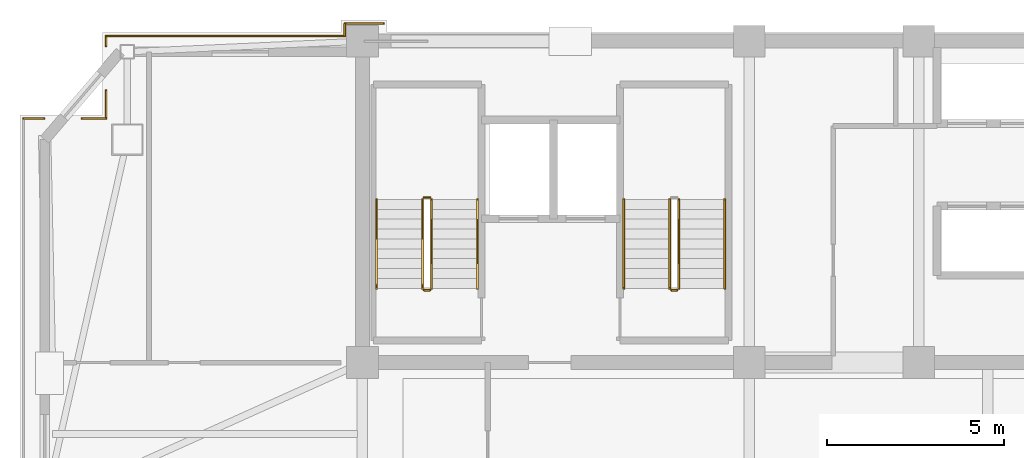
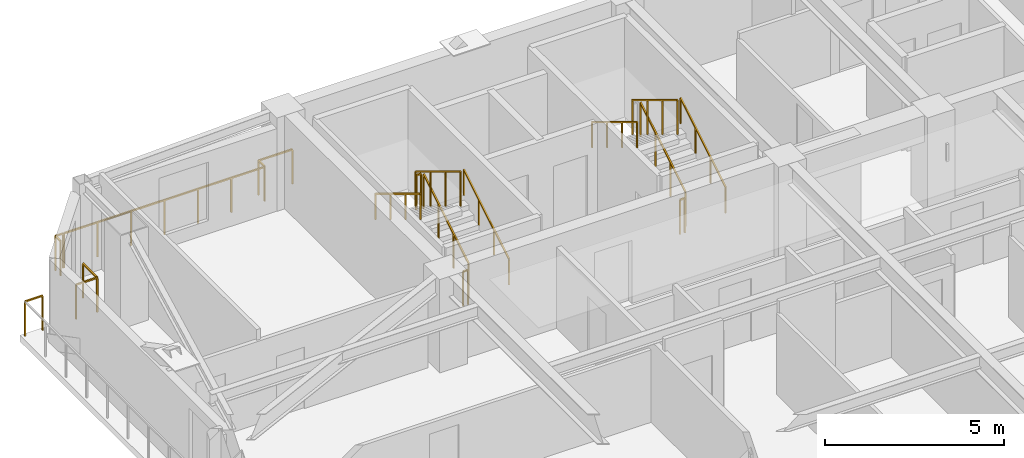
# One storey, part 12 of 14: 19 railings.
"""IFC4 building model written with IfcOpenShell, lengths in metres."""

from ifc_helpers import new_model, si_unit, direction, frame, origin, origin_2d, place, context, subcontext, project, spatial, rectangle, extrude, material, type_object, element, save


model = new_model("IFC4")

# Units and contexts
model_context = context("Model", 3, precision=1e-05, world=origin(), true_north=direction((0.0, 1.0)))
body_context = subcontext(model_context, "Body", "Model", "MODEL_VIEW")
ifc_project = project(units=[si_unit("LENGTHUNIT", "METRE"), si_unit("AREAUNIT", "SQUARE_METRE"), si_unit("VOLUMEUNIT", "CUBIC_METRE"), si_unit("PLANEANGLEUNIT", "RADIAN"), si_unit("MASSUNIT", "GRAM", prefix="KILO")], contexts=[model_context])

# Site, building, storey
site_placement = place(None, origin())
site = spatial("IfcSite", under=ifc_project, at=site_placement, CompositionType="ELEMENT")
building_placement = place(site_placement, origin())
building = spatial("IfcBuilding", under=site, at=building_placement, Name="Giltprow Tower", CompositionType="ELEMENT")
storey_placement = place(building_placement, frame((0.0, 0.0, 314.199951171875)))
storey = spatial("IfcBuildingStorey", under=building, at=storey_placement, Name="L81", CompositionType="ELEMENT", Elevation=314.199951171875)

# Railings
ifc_material = material(Name="Anodized bronze", Category="metal")
railing_type_1 = type_object("IfcRailingType", Name="RAIL-BALC-GUARD-1200", PredefinedType="BALUSTRADE", material=ifc_material)
railing_1_placement = place(storey_placement, frame((10.2548828125, 44.362060546875, 0.0)))
element("IfcRailing", 1, at=railing_1_placement, inside=storey, type_object=railing_type_1, Name="L81 Corner Apron Edge Balustrade 14", PredefinedType="BALUSTRADE", context=body_context, shape_type="SweptSolid", body=[
    extrude(rectangle(XDim=0.048095703125, YDim=0.048095703125, at=origin_2d()), frame((0.0, 0.0, 1.17578125), z_axis=(1.0, 0.0, 0.0), x_axis=(0.0, 1.0, 0.0)), (0.0, 0.0, 1.0), 0.5751953125),
    extrude(rectangle(XDim=0.0419921875, YDim=0.0419921875, at=origin_2d()), origin(), (0.0, 0.0, 1.0), 1.15185546875),
    extrude(rectangle(XDim=0.0419921875, YDim=0.0419921875, at=origin_2d()), frame((0.5751953125, 0.0, 0.0)), (0.0, 0.0, 1.0), 1.15185546875),
])
railing_2_placement = place(storey_placement, frame((11.910888671875, 44.362060546875, 0.0)))
element("IfcRailing", 2, at=railing_2_placement, inside=storey, type_object=railing_type_1, Name="L81 Corner Apron Edge Balustrade 15", PredefinedType="BALUSTRADE", context=body_context, shape_type="SweptSolid", body=[
    extrude(rectangle(XDim=0.048095703125, YDim=0.048095703125, at=origin_2d()), frame((0.0, 0.0, 1.17578125), z_axis=(1.0, 0.0, 0.0), x_axis=(0.0, 1.0, 0.0)), (0.0, 0.0, 1.0), 0.68212890625),
    extrude(rectangle(XDim=0.0419921875, YDim=0.0419921875, at=origin_2d()), origin(), (0.0, 0.0, 1.0), 1.15185546875),
    extrude(rectangle(XDim=0.0419921875, YDim=0.0419921875, at=origin_2d()), frame((0.68212890625, 0.0, 0.0)), (0.0, 0.0, 1.0), 1.15185546875),
])
railing_3_placement = place(storey_placement, frame((12.593017578125, 44.362060546875, 0.0)))
element("IfcRailing", 3, at=railing_3_placement, inside=storey, type_object=railing_type_1, Name="L81 Corner Apron Edge Balustrade 16", PredefinedType="BALUSTRADE", context=body_context, shape_type="SweptSolid", body=[
    extrude(rectangle(XDim=0.048095703125, YDim=0.048095703125, at=origin_2d()), frame((0.0, 0.0, 1.17578125), z_axis=(0.0, 1.0, 0.0), x_axis=(-1.0, 0.0, 0.0)), (0.0, 0.0, 1.0), 0.79296875),
    extrude(rectangle(XDim=0.0419921875, YDim=0.0419921875, at=origin_2d()), origin(), (0.0, 0.0, 1.0), 1.15185546875),
    extrude(rectangle(XDim=0.0419921875, YDim=0.0419921875, at=origin_2d()), frame((0.0, 0.79296875, 0.0)), (0.0, 0.0, 1.0), 1.15185546875),
])
railing_4_placement = place(storey_placement, frame((12.593017578125, 46.4140625, 0.0)))
element("IfcRailing", 4, at=railing_4_placement, inside=storey, type_object=railing_type_1, Name="L81 Corner Apron Edge Balustrade 17", PredefinedType="BALUSTRADE", context=body_context, shape_type="SweptSolid", body=[
    extrude(rectangle(XDim=0.048095703125, YDim=0.048095703125, at=origin_2d()), frame((0.0, 0.0, 1.17578125), z_axis=(0.0, 1.0, 0.0), x_axis=(-1.0, 0.0, 0.0)), (0.0, 0.0, 1.0), 0.285888671875),
    extrude(rectangle(XDim=0.0419921875, YDim=0.0419921875, at=origin_2d()), origin(), (0.0, 0.0, 1.0), 1.15185546875),
    extrude(rectangle(XDim=0.0419921875, YDim=0.0419921875, at=origin_2d()), frame((0.0, 0.285888671875, 0.0)), (0.0, 0.0, 1.0), 1.15185546875),
])
railing_5_placement = place(storey_placement, frame((12.593017578125, 46.699951171875, 0.0)))
element("IfcRailing", 5, at=railing_5_placement, inside=storey, type_object=railing_type_1, Name="L81 Corner Apron Edge Balustrade 18", PredefinedType="BALUSTRADE", context=body_context, shape_type="SweptSolid", body=[
    extrude(rectangle(XDim=0.048095703125, YDim=0.048095703125, at=origin_2d()), frame((0.0, 0.0, 1.17578125), z_axis=(1.0, 0.0, 0.0), x_axis=(0.0, 1.0, 0.0)), (0.0, 0.0, 1.0), 0.24609375),
    extrude(rectangle(XDim=0.0419921875, YDim=0.0419921875, at=origin_2d()), origin(), (0.0, 0.0, 1.0), 1.15185546875),
    extrude(rectangle(XDim=0.0419921875, YDim=0.0419921875, at=origin_2d()), frame((0.24609375, 0.0, 0.0)), (0.0, 0.0, 1.0), 1.15185546875),
])
railing_6_placement = place(storey_placement, frame((12.867919921875, 46.699951171875, 0.0)))
element("IfcRailing", 6, at=railing_6_placement, inside=storey, type_object=railing_type_1, Name="L81 Corner Apron Edge Balustrade 19", PredefinedType="BALUSTRADE", context=body_context, shape_type="SweptSolid", body=[
    extrude(rectangle(XDim=0.048095703125, YDim=0.048095703125, at=origin_2d()), frame((0.0, 0.0, 1.17578125), z_axis=(1.0, 0.0, 0.0), x_axis=(0.0, 1.0, 0.0)), (0.0, 0.0, 1.0), 6.482177734375),
    extrude(rectangle(XDim=0.0419921875, YDim=0.0419921875, at=origin_2d()), origin(), (0.0, 0.0, 1.0), 1.15185546875),
    extrude(rectangle(XDim=0.0419921875, YDim=0.0419921875, at=origin_2d()), frame((1.080322265625, 0.0, 0.0)), (0.0, 0.0, 1.0), 1.15185546875),
    extrude(rectangle(XDim=0.0419921875, YDim=0.0419921875, at=origin_2d()), frame((2.16064453125, 0.0, 0.0)), (0.0, 0.0, 1.0), 1.15185546875),
    extrude(rectangle(XDim=0.0419921875, YDim=0.0419921875, at=origin_2d()), frame((3.2412109375, 0.0, 0.0)), (0.0, 0.0, 1.0), 1.15185546875),
    extrude(rectangle(XDim=0.0419921875, YDim=0.0419921875, at=origin_2d()), frame((4.321533203125, 0.0, 0.0)), (0.0, 0.0, 1.0), 1.15185546875),
    extrude(rectangle(XDim=0.0419921875, YDim=0.0419921875, at=origin_2d()), frame((5.40185546875, 0.0, 0.0)), (0.0, 0.0, 1.0), 1.15185546875),
    extrude(rectangle(XDim=0.0419921875, YDim=0.0419921875, at=origin_2d()), frame((6.482177734375, 0.0, 0.0)), (0.0, 0.0, 1.0), 1.15185546875),
])
railing_7_placement = place(storey_placement, frame((19.35009765625, 46.699951171875, 0.0)))
element("IfcRailing", 7, at=railing_7_placement, inside=storey, type_object=railing_type_1, Name="L81 Corner Apron Edge Balustrade 20", PredefinedType="BALUSTRADE", context=body_context, shape_type="SweptSolid", body=[
    extrude(rectangle(XDim=0.048095703125, YDim=0.048095703125, at=origin_2d()), frame((0.0, 0.0, 1.17578125), z_axis=(0.0, 1.0, 0.0), x_axis=(-1.0, 0.0, 0.0)), (0.0, 0.0, 1.0), 0.35009765625),
    extrude(rectangle(XDim=0.0419921875, YDim=0.0419921875, at=origin_2d()), origin(), (0.0, 0.0, 1.0), 1.15185546875),
    extrude(rectangle(XDim=0.0419921875, YDim=0.0419921875, at=origin_2d()), frame((0.0, 0.35009765625, 0.0)), (0.0, 0.0, 1.0), 1.15185546875),
])
railing_8_placement = place(storey_placement, frame((19.35009765625, 47.050048828125, 0.0)))
element("IfcRailing", 8, at=railing_8_placement, inside=storey, type_object=railing_type_1, Name="L81 Corner Apron Edge Balustrade 21", PredefinedType="BALUSTRADE", context=body_context, shape_type="SweptSolid", body=[
    extrude(rectangle(XDim=0.048095703125, YDim=0.048095703125, at=origin_2d()), frame((0.0, 0.0, 1.17578125), z_axis=(1.0, 0.0, 0.0), x_axis=(0.0, 1.0, 0.0)), (0.0, 0.0, 1.0), 1.099853515625),
    extrude(rectangle(XDim=0.0419921875, YDim=0.0419921875, at=origin_2d()), origin(), (0.0, 0.0, 1.0), 1.15185546875),
    extrude(rectangle(XDim=0.0419921875, YDim=0.0419921875, at=origin_2d()), frame((1.099853515625, 0.0, 0.0)), (0.0, 0.0, 1.0), 1.15185546875),
])
railing_type_2 = type_object("IfcRailingType", Name="RAIL-STAIR-GUARD-1200", PredefinedType="GUARDRAIL", material=ifc_material)
railing_9_placement = place(storey_placement, frame((21.81005859375, 39.550048828125, 0.170166015625)))
element("IfcRailing", 9, at=railing_9_placement, inside=storey, type_object=railing_type_2, Name="L81 ST-1 stair guard 1", PredefinedType="GUARDRAIL", context=body_context, shape_type="SweptSolid", body=[
    extrude(rectangle(XDim=0.048095703125, YDim=0.048095703125, at=origin_2d()), frame((0.0, 0.0, 1.17578125), z_axis=(0.0, 0.854821627497, 0.518921945155), x_axis=(-1.0, 0.0, 0.0)), (0.0, 0.0, 1.0), 2.947998046875),
    extrude(rectangle(XDim=0.0419921875, YDim=0.0419921875, at=origin_2d()), origin(), (0.0, 0.0, 1.0), 1.15185546875),
    extrude(rectangle(XDim=0.0419921875, YDim=0.0419921875, at=origin_2d()), frame((0.0, 0.840087890625, 0.510009765625)), (0.0, 0.0, 1.0), 1.15185546875),
    extrude(rectangle(XDim=0.0419921875, YDim=0.0419921875, at=origin_2d()), frame((0.0, 1.679931640625, 1.019775390625)), (0.0, 0.0, 1.0), 1.15185546875),
    extrude(rectangle(XDim=0.0419921875, YDim=0.0419921875, at=origin_2d()), frame((0.0, 2.52001953125, 1.52978515625)), (0.0, 0.0, 1.0), 1.15185546875),
])
railing_10_placement = place(storey_placement, frame((21.760009765625, 42.1201171875, 1.699951171875)))
element("IfcRailing", 10, at=railing_10_placement, inside=storey, type_object=railing_type_2, Name="L81 ST-1 stair guard 2", PredefinedType="GUARDRAIL", context=body_context, shape_type="SweptSolid", body=[
    extrude(rectangle(XDim=0.048095703125, YDim=0.048095703125, at=origin_2d()), frame((0.0, 0.0, 1.17578125), z_axis=(-1.0, 0.0, 0.0), x_axis=(0.0, -1.0, 0.0)), (0.0, 0.0, 1.0), 0.159912109375),
    extrude(rectangle(XDim=0.0419921875, YDim=0.0419921875, at=origin_2d()), origin(), (0.0, 0.0, 1.0), 1.15185546875),
    extrude(rectangle(XDim=0.0419921875, YDim=0.0419921875, at=origin_2d()), frame((-0.159912109375, 0.0, 0.0)), (0.0, 0.0, 1.0), 1.15185546875),
])
railing_11_placement = place(storey_placement, frame((21.550048828125, 42.070068359375, 1.8701171875)))
element("IfcRailing", 11, at=railing_11_placement, inside=storey, type_object=railing_type_2, Name="L81 ST-1 stair guard 3", PredefinedType="GUARDRAIL", context=body_context, shape_type="SweptSolid", body=[
    extrude(rectangle(XDim=0.048095703125, YDim=0.048095703125, at=origin_2d()), frame((0.0, 0.0, 1.17578125), z_axis=(0.0, -0.85478489116, 0.518982456201), x_axis=(1.0, 0.0, 0.0)), (0.0, 0.0, 1.0), 2.9482421875),
    extrude(rectangle(XDim=0.0419921875, YDim=0.0419921875, at=origin_2d()), origin(), (0.0, 0.0, 1.0), 1.15185546875),
    extrude(rectangle(XDim=0.0419921875, YDim=0.0419921875, at=origin_2d()), frame((0.0, -0.840087890625, 0.510009765625)), (0.0, 0.0, 1.0), 1.15185546875),
    extrude(rectangle(XDim=0.0419921875, YDim=0.0419921875, at=origin_2d()), frame((0.0, -1.679931640625, 1.02001953125)), (0.0, 0.0, 1.0), 1.15185546875),
    extrude(rectangle(XDim=0.0419921875, YDim=0.0419921875, at=origin_2d()), frame((0.0, -2.52001953125, 1.530029296875)), (0.0, 0.0, 1.0), 1.15185546875),
])
railing_12_placement = place(storey_placement, frame((21.760009765625, 39.5, 0.0)))
element("IfcRailing", 12, at=railing_12_placement, inside=storey, type_object=railing_type_2, Name="L81 ST-1 stair guard 4", PredefinedType="GUARDRAIL", context=body_context, shape_type="SweptSolid", body=[
    extrude(rectangle(XDim=0.048095703125, YDim=0.048095703125, at=origin_2d()), frame((0.0, 0.0, 1.17578125), z_axis=(-1.0, 0.0, 0.0), x_axis=(0.0, -1.0, 0.0)), (0.0, 0.0, 1.0), 0.159912109375),
    extrude(rectangle(XDim=0.0419921875, YDim=0.0419921875, at=origin_2d()), origin(), (0.0, 0.0, 1.0), 1.15185546875),
    extrude(rectangle(XDim=0.0419921875, YDim=0.0419921875, at=origin_2d()), frame((-0.159912109375, 0.0, 0.0)), (0.0, 0.0, 1.0), 1.15185546875),
])
railing_13_placement = place(storey_placement, frame((28.81005859375, 39.550048828125, 0.170166015625)))
element("IfcRailing", 13, at=railing_13_placement, inside=storey, type_object=railing_type_2, Name="L81 ST-2 stair guard 1", PredefinedType="GUARDRAIL", context=body_context, shape_type="SweptSolid", body=[
    extrude(rectangle(XDim=0.048095703125, YDim=0.048095703125, at=origin_2d()), frame((0.0, 0.0, 1.17578125), z_axis=(0.0, 0.854821627497, 0.518921945155), x_axis=(-1.0, 0.0, 0.0)), (0.0, 0.0, 1.0), 2.947998046875),
    extrude(rectangle(XDim=0.0419921875, YDim=0.0419921875, at=origin_2d()), origin(), (0.0, 0.0, 1.0), 1.15185546875),
    extrude(rectangle(XDim=0.0419921875, YDim=0.0419921875, at=origin_2d()), frame((0.0, 0.840087890625, 0.510009765625)), (0.0, 0.0, 1.0), 1.15185546875),
    extrude(rectangle(XDim=0.0419921875, YDim=0.0419921875, at=origin_2d()), frame((0.0, 1.679931640625, 1.019775390625)), (0.0, 0.0, 1.0), 1.15185546875),
    extrude(rectangle(XDim=0.0419921875, YDim=0.0419921875, at=origin_2d()), frame((0.0, 2.52001953125, 1.52978515625)), (0.0, 0.0, 1.0), 1.15185546875),
])
railing_14_placement = place(storey_placement, frame((28.550048828125, 42.070068359375, 1.8701171875)))
element("IfcRailing", 14, at=railing_14_placement, inside=storey, type_object=railing_type_2, Name="L81 ST-2 stair guard 3", PredefinedType="GUARDRAIL", context=body_context, shape_type="SweptSolid", body=[
    extrude(rectangle(XDim=0.048095703125, YDim=0.048095703125, at=origin_2d()), frame((0.0, 0.0, 1.17578125), z_axis=(0.0, -0.85478489116, 0.518982456201), x_axis=(1.0, 0.0, 0.0)), (0.0, 0.0, 1.0), 2.9482421875),
    extrude(rectangle(XDim=0.0419921875, YDim=0.0419921875, at=origin_2d()), origin(), (0.0, 0.0, 1.0), 1.15185546875),
    extrude(rectangle(XDim=0.0419921875, YDim=0.0419921875, at=origin_2d()), frame((0.0, -0.840087890625, 0.510009765625)), (0.0, 0.0, 1.0), 1.15185546875),
    extrude(rectangle(XDim=0.0419921875, YDim=0.0419921875, at=origin_2d()), frame((0.0, -1.679931640625, 1.02001953125)), (0.0, 0.0, 1.0), 1.15185546875),
    extrude(rectangle(XDim=0.0419921875, YDim=0.0419921875, at=origin_2d()), frame((0.0, -2.52001953125, 1.530029296875)), (0.0, 0.0, 1.0), 1.15185546875),
])
railing_15_placement = place(storey_placement, frame((28.760009765625, 39.5, 0.0)))
element("IfcRailing", 15, at=railing_15_placement, inside=storey, type_object=railing_type_2, Name="L81 ST-2 stair guard 4", PredefinedType="GUARDRAIL", context=body_context, shape_type="SweptSolid", body=[
    extrude(rectangle(XDim=0.048095703125, YDim=0.048095703125, at=origin_2d()), frame((0.0, 0.0, 1.17578125), z_axis=(-1.0, 0.0, 0.0), x_axis=(0.0, -1.0, 0.0)), (0.0, 0.0, 1.0), 0.159912109375),
    extrude(rectangle(XDim=0.0419921875, YDim=0.0419921875, at=origin_2d()), origin(), (0.0, 0.0, 1.0), 1.15185546875),
    extrude(rectangle(XDim=0.0419921875, YDim=0.0419921875, at=origin_2d()), frame((-0.159912109375, 0.0, 0.0)), (0.0, 0.0, 1.0), 1.15185546875),
])
railing_type_3 = type_object("IfcRailingType", Name="RAIL-STAIR-HAND-900", PredefinedType="HANDRAIL", material=ifc_material)
railing_16_placement = place(storey_placement, frame((23.110107421875, 39.550048828125, 0.170166015625)))
element("IfcRailing", 16, at=railing_16_placement, inside=storey, type_object=railing_type_3, Name="L81 ST-1 stair handrail 1", PredefinedType="HANDRAIL", context=body_context, shape_type="SweptSolid", body=[
    extrude(rectangle(XDim=0.048095703125, YDim=0.048095703125, at=origin_2d()), frame((0.0, 0.0, 0.8759765625), z_axis=(0.0, 0.854821627497, 0.518921945155), x_axis=(-1.0, 0.0, 0.0)), (0.0, 0.0, 1.0), 2.947998046875),
    extrude(rectangle(XDim=0.0419921875, YDim=0.0419921875, at=origin_2d()), origin(), (0.0, 0.0, 1.0), 0.851806640625),
    extrude(rectangle(XDim=0.0419921875, YDim=0.0419921875, at=origin_2d()), frame((0.0, 0.840087890625, 0.510009765625)), (0.0, 0.0, 1.0), 0.851806640625),
    extrude(rectangle(XDim=0.0419921875, YDim=0.0419921875, at=origin_2d()), frame((0.0, 1.679931640625, 1.019775390625)), (0.0, 0.0, 1.0), 0.851806640625),
    extrude(rectangle(XDim=0.0419921875, YDim=0.0419921875, at=origin_2d()), frame((0.0, 2.52001953125, 1.52978515625)), (0.0, 0.0, 1.0), 0.851806640625),
])
railing_17_placement = place(storey_placement, frame((20.25, 42.070068359375, 1.8701171875)))
element("IfcRailing", 17, at=railing_17_placement, inside=storey, type_object=railing_type_3, Name="L81 ST-1 stair handrail 2", PredefinedType="HANDRAIL", context=body_context, shape_type="SweptSolid", body=[
    extrude(rectangle(XDim=0.048095703125, YDim=0.048095703125, at=origin_2d()), frame((0.0, 0.0, 0.8759765625), z_axis=(0.0, -0.85478489116, 0.518982456201), x_axis=(1.0, 0.0, 0.0)), (0.0, 0.0, 1.0), 2.9482421875),
    extrude(rectangle(XDim=0.0419921875, YDim=0.0419921875, at=origin_2d()), origin(), (0.0, 0.0, 1.0), 0.851806640625),
    extrude(rectangle(XDim=0.0419921875, YDim=0.0419921875, at=origin_2d()), frame((0.0, -0.840087890625, 0.510009765625)), (0.0, 0.0, 1.0), 0.851806640625),
    extrude(rectangle(XDim=0.0419921875, YDim=0.0419921875, at=origin_2d()), frame((0.0, -1.679931640625, 1.02001953125)), (0.0, 0.0, 1.0), 0.851806640625),
    extrude(rectangle(XDim=0.0419921875, YDim=0.0419921875, at=origin_2d()), frame((0.0, -2.52001953125, 1.530029296875)), (0.0, 0.0, 1.0), 0.851806640625),
])
railing_18_placement = place(storey_placement, frame((30.110107421875, 39.550048828125, 0.170166015625)))
element("IfcRailing", 18, at=railing_18_placement, inside=storey, type_object=railing_type_3, Name="L81 ST-2 stair handrail 1", PredefinedType="HANDRAIL", context=body_context, shape_type="SweptSolid", body=[
    extrude(rectangle(XDim=0.048095703125, YDim=0.048095703125, at=origin_2d()), frame((0.0, 0.0, 0.8759765625), z_axis=(0.0, 0.854821627497, 0.518921945155), x_axis=(-1.0, 0.0, 0.0)), (0.0, 0.0, 1.0), 2.947998046875),
    extrude(rectangle(XDim=0.0419921875, YDim=0.0419921875, at=origin_2d()), origin(), (0.0, 0.0, 1.0), 0.851806640625),
    extrude(rectangle(XDim=0.0419921875, YDim=0.0419921875, at=origin_2d()), frame((0.0, 0.840087890625, 0.510009765625)), (0.0, 0.0, 1.0), 0.851806640625),
    extrude(rectangle(XDim=0.0419921875, YDim=0.0419921875, at=origin_2d()), frame((0.0, 1.679931640625, 1.019775390625)), (0.0, 0.0, 1.0), 0.851806640625),
    extrude(rectangle(XDim=0.0419921875, YDim=0.0419921875, at=origin_2d()), frame((0.0, 2.52001953125, 1.52978515625)), (0.0, 0.0, 1.0), 0.851806640625),
])
railing_19_placement = place(storey_placement, frame((27.25, 42.070068359375, 1.8701171875)))
element("IfcRailing", 19, at=railing_19_placement, inside=storey, type_object=railing_type_3, Name="L81 ST-2 stair handrail 2", PredefinedType="HANDRAIL", context=body_context, shape_type="SweptSolid", body=[
    extrude(rectangle(XDim=0.048095703125, YDim=0.048095703125, at=origin_2d()), frame((0.0, 0.0, 0.8759765625), z_axis=(0.0, -0.85478489116, 0.518982456201), x_axis=(1.0, 0.0, 0.0)), (0.0, 0.0, 1.0), 2.9482421875),
    extrude(rectangle(XDim=0.0419921875, YDim=0.0419921875, at=origin_2d()), origin(), (0.0, 0.0, 1.0), 0.851806640625),
    extrude(rectangle(XDim=0.0419921875, YDim=0.0419921875, at=origin_2d()), frame((0.0, -0.840087890625, 0.510009765625)), (0.0, 0.0, 1.0), 0.851806640625),
    extrude(rectangle(XDim=0.0419921875, YDim=0.0419921875, at=origin_2d()), frame((0.0, -1.679931640625, 1.02001953125)), (0.0, 0.0, 1.0), 0.851806640625),
    extrude(rectangle(XDim=0.0419921875, YDim=0.0419921875, at=origin_2d()), frame((0.0, -2.52001953125, 1.530029296875)), (0.0, 0.0, 1.0), 0.851806640625),
])

save(model, "model.ifc")
